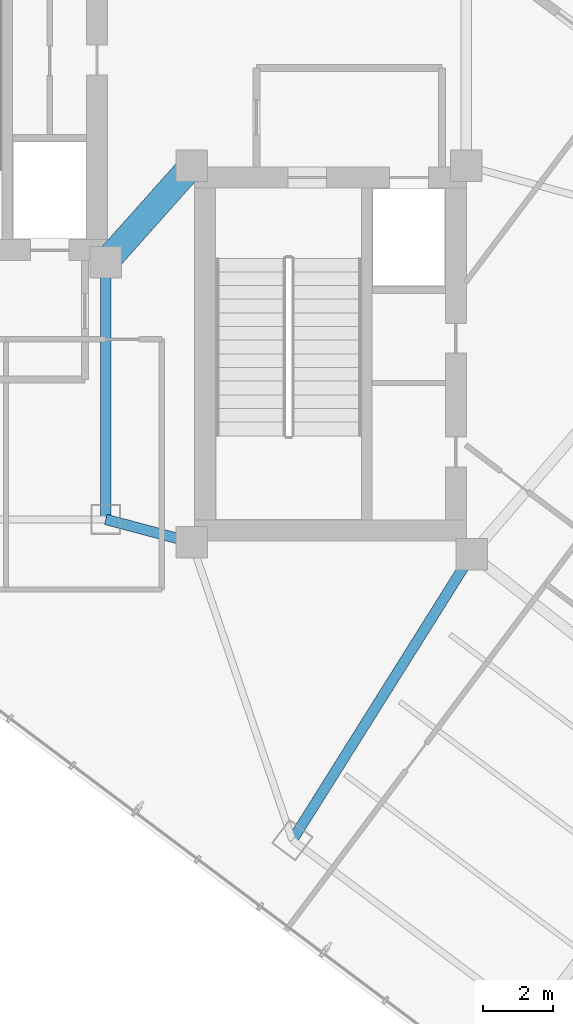
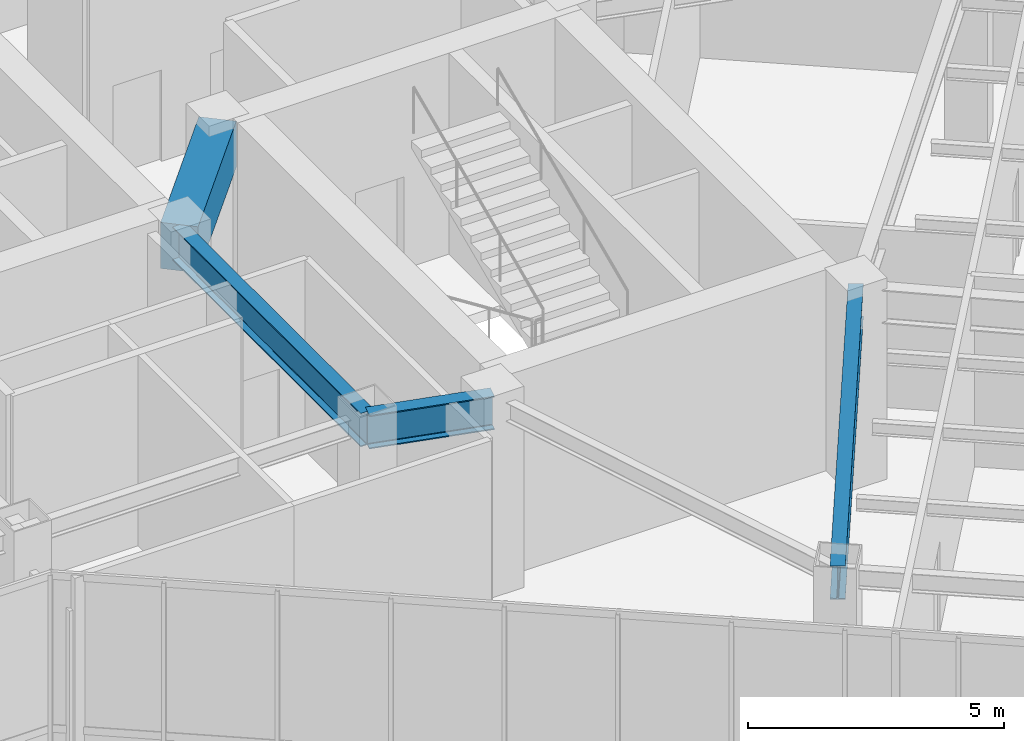
# One storey, part 9 of 30: 4 beams.
"""IFC4 building model written with IfcOpenShell, lengths in metres."""

from ifc_helpers import new_model, si_unit, direction, frame, origin, origin_2d, place, context, subcontext, project, spatial, rectangle, i_section, extrude, material, material_profile, profile_set, type_object, element, save


model = new_model("IFC4")

# Units and contexts
model_context = context("Model", 3, precision=1e-05, world=origin(), true_north=direction((0.0, 1.0)))
body_context = subcontext(model_context, "Body", "Model", "MODEL_VIEW")
ifc_project = project(units=[si_unit("LENGTHUNIT", "METRE"), si_unit("AREAUNIT", "SQUARE_METRE"), si_unit("VOLUMEUNIT", "CUBIC_METRE"), si_unit("PLANEANGLEUNIT", "RADIAN"), si_unit("MASSUNIT", "GRAM", prefix="KILO")], contexts=[model_context])

# Site, building, storey
site_placement = place(None, origin())
site = spatial("IfcSite", under=ifc_project, at=site_placement, CompositionType="ELEMENT")
building_placement = place(site_placement, origin())
building = spatial("IfcBuilding", under=site, at=building_placement, Name="Hatsunagi Terrace Concourse", CompositionType="ELEMENT")
storey_placement = place(building_placement, frame((0.0, 0.0, 130.050048828125)))
storey = spatial("IfcBuildingStorey", under=building, at=storey_placement, Name="L34", CompositionType="ELEMENT", Elevation=130.050048828125)

# Beams
ifc_material_1 = material(Name="Concrete Fc48", Category="concrete")
ifc_material_profile_1 = material_profile(ifc_material_1, rectangle(XDim=0.75, YDim=1.10009765625, at=origin_2d()), Name="RC-750x1100")
ifc_profile_set_1 = profile_set([ifc_material_profile_1], Name="Concrete Fc48")
beam_type_1 = type_object("IfcBeamType", Name="CoreCouplingBeam_RC_750x1100", PredefinedType="BEAM", material=ifc_profile_set_1)
beam_1_placement = place(storey_placement, frame((33.35009765625, 32.550048828125, 4.0), z_axis=(0.665198651008, 0.746666427997, 0.0), x_axis=(-0.746666427997, 0.665198651008, 0.0)))
element("IfcBeam", 1, at=beam_1_placement, inside=storey, type_object=beam_type_1, Name="Beam CB-02 CB-L34-1", PredefinedType="BEAM", context=body_context, shape_type="SweptSolid", body=[
    extrude(rectangle(XDim=0.75, YDim=1.10009765625, at=origin_2d()), origin(), (0.0, 0.0, 1.0), 3.68310546875),
])
ifc_material_2 = material(Name="Steel SN490B", Category="steel")
ifc_material_profile_2 = material_profile(ifc_material_2, i_section(OverallWidth=0.300048828125, OverallDepth=0.800048828125, WebThickness=0.013916015625, FlangeThickness=0.02587890625, FilletRadius=0.02197265625, at=origin_2d()), Name="H-800x300x14x26")
ifc_profile_set_2 = profile_set([ifc_material_profile_2], Name="Steel SN490B")
beam_type_2 = type_object("IfcBeamType", Name="SkyLobbyGirder_H_800x300", PredefinedType="BEAM", material=ifc_profile_set_2)
beam_2_placement = place(storey_placement, frame((33.35009765625, 25.199951171875, 4.14990234375), z_axis=(0.0, 1.0, 0.0), x_axis=(-1.0, 0.0, 0.0)))
element("IfcBeam", 2, at=beam_2_placement, inside=storey, type_object=beam_type_2, Name="Beam G-03 BM-L34-K2CA", PredefinedType="BEAM", context=body_context, shape_type="SweptSolid", body=[
    extrude(i_section(OverallWidth=0.300048828125, OverallDepth=0.800048828125, WebThickness=0.013916015625, FlangeThickness=0.02587890625, FilletRadius=0.02197265625, at=origin_2d()), origin(), (0.0, 0.0, 1.0), 7.35009765625),
])
beam_3_placement = place(storey_placement, frame((33.35009765625, 25.199951171875, 4.14990234375), z_axis=(0.966569840116, -0.256403479262, 0.0), x_axis=(0.256403479262, 0.966569840116, 0.0)))
element("IfcBeam", 3, at=beam_3_placement, inside=storey, type_object=beam_type_2, Name="Beam G-03 BM-L34-K2CB", PredefinedType="BEAM", context=body_context, shape_type="SweptSolid", body=[
    extrude(i_section(OverallWidth=0.300048828125, OverallDepth=0.800048828125, WebThickness=0.013916015625, FlangeThickness=0.02587890625, FilletRadius=0.02197265625, at=origin_2d()), origin(), (0.0, 0.0, 1.0), 2.53466796875),
])
beam_4_placement = place(storey_placement, frame((38.679931640625, 16.0400390625, 4.14990234375), z_axis=(0.531503907049, 0.847055840421, 0.0), x_axis=(-0.847055840421, 0.531503907049, 0.0)))
element("IfcBeam", 4, at=beam_4_placement, inside=storey, type_object=beam_type_2, Name="Beam G-03 BM-L34-SET-1A", PredefinedType="BEAM", context=body_context, shape_type="SweptSolid", body=[
    extrude(i_section(OverallWidth=0.300048828125, OverallDepth=0.800048828125, WebThickness=0.013916015625, FlangeThickness=0.02587890625, FilletRadius=0.02197265625, at=origin_2d()), origin(), (0.0, 0.0, 1.0), 9.63330078125),
])

save(model, "model.ifc")
